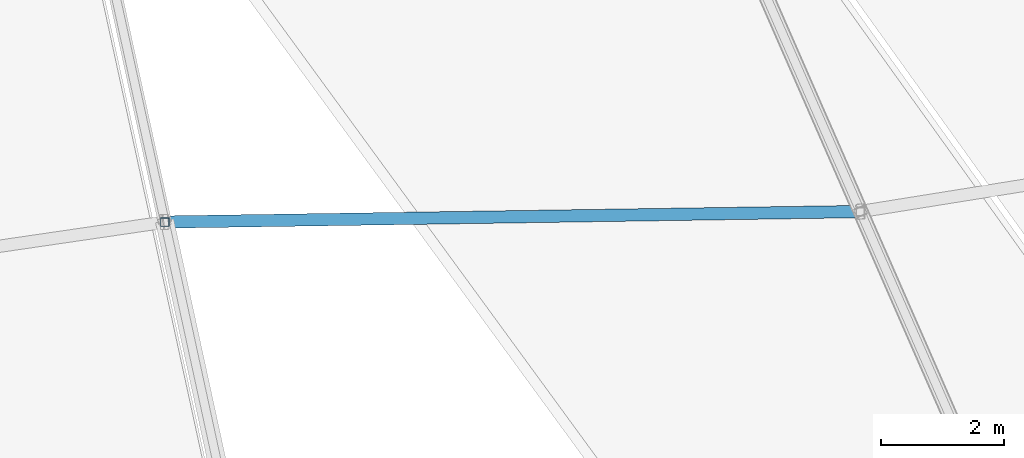
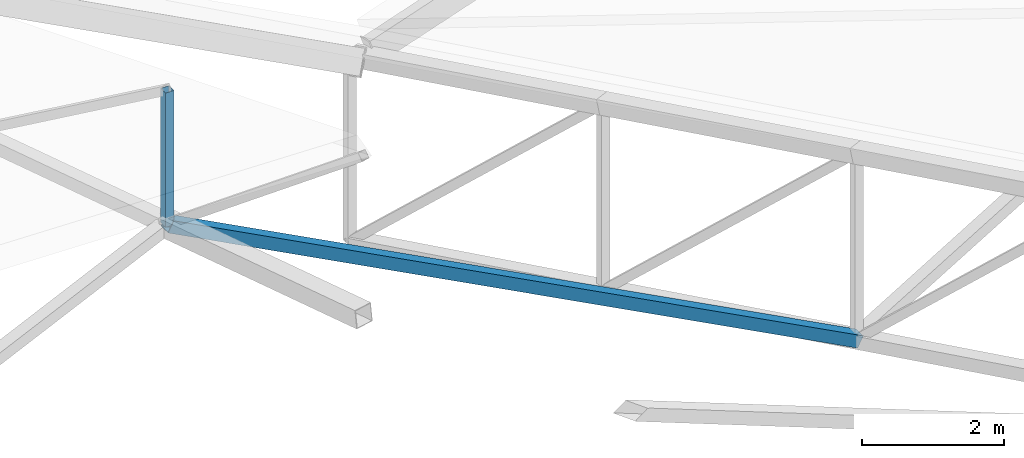
# One storey, part 41 of 344: 2 members.
"""IFC4 building model written with IfcOpenShell, lengths in metres."""

from ifc_helpers import new_model, si_unit, direction, frame, origin, origin_2d, place, context, subcontext, project, spatial, hollow_rectangle, extrude, material, material_profile, profile_set, type_object, element, save


model = new_model("IFC4")

# Units and contexts
model_context = context("Model", 3, precision=1e-05, world=origin(), true_north=direction((0.0, 1.0)))
body_context = subcontext(model_context, "Body", "Model", "MODEL_VIEW")
ifc_project = project(units=[si_unit("LENGTHUNIT", "METRE"), si_unit("AREAUNIT", "SQUARE_METRE"), si_unit("VOLUMEUNIT", "CUBIC_METRE"), si_unit("PLANEANGLEUNIT", "RADIAN"), si_unit("MASSUNIT", "GRAM", prefix="KILO")], contexts=[model_context])

# Site, building, storey
site_placement = place(None, origin())
site = spatial("IfcSite", under=ifc_project, at=site_placement, CompositionType="ELEMENT")
building_placement = place(site_placement, origin())
building = spatial("IfcBuilding", under=site, at=building_placement, Name="Meseta Stadium", CompositionType="ELEMENT")
storey_placement = place(building_placement, frame((0.0, 0.0, 24.0)))
storey = spatial("IfcBuildingStorey", under=building, at=storey_placement, Name="L04", CompositionType="ELEMENT", Elevation=24.0)

# Members
ifc_material_1 = material(Name="Steel S355", Category="steel")
ifc_material_profile_1 = material_profile(ifc_material_1, hollow_rectangle(XDim=0.139892578125, YDim=0.139892578125, WallThickness=0.0048828125, at=origin_2d()), Name="SHS 140x140x5")
ifc_profile_set_1 = profile_set([ifc_material_profile_1], Name="Steel S355")
member_type_1 = type_object("IfcMemberType", Name="SHS 140x140x5 post", PredefinedType="POST", material=ifc_profile_set_1)
member_1_placement = place(storey_placement, frame((16.1357421875, -73.859130859375, 6.376220703125), z_axis=(0.0, 0.0, 1.0), x_axis=(1.0, 0.0, 0.0)))
element("IfcMember", 1, at=member_1_placement, inside=storey, type_object=member_type_1, Name="ROOF TRUSS RT-48 post", PredefinedType="POST", context=body_context, shape_type="SweptSolid", body=[
    extrude(hollow_rectangle(XDim=0.139892578125, YDim=0.139892578125, WallThickness=0.0048828125, at=origin_2d()), origin(), (0.0, 0.0, 1.0), 2.3017578125),
])
ifc_material_2 = material(Name="Steel S355", Category="steel")
ifc_material_profile_2 = material_profile(ifc_material_2, hollow_rectangle(XDim=0.199951171875, YDim=0.199951171875, WallThickness=0.008056640625, at=origin_2d()), Name="SHS 200x200x8")
ifc_profile_set_2 = profile_set([ifc_material_profile_2], Name="Steel S355")
member_type_2 = type_object("IfcMemberType", Name="SHS 200x200x8 strut", PredefinedType="STRUT", material=ifc_profile_set_2)
member_2_placement = place(storey_placement, frame((16.1357421875, -73.859130859375, 6.376220703125), z_axis=(0.881950358144, 0.013325911122, -0.471153887665), x_axis=(-0.015107868723, 0.999885869638, 0.0)))
element("IfcMember", 2, at=member_2_placement, inside=storey, type_object=member_type_2, Name="ROOF TRUSS STRUT RT-48/49", PredefinedType="STRUT", context=body_context, shape_type="SweptSolid", body=[
    extrude(hollow_rectangle(XDim=0.199951171875, YDim=0.199951171875, WallThickness=0.008056640625, at=origin_2d()), origin(), (0.0, 0.0, 1.0), 12.80615234375),
])

save(model, "model.ifc")
